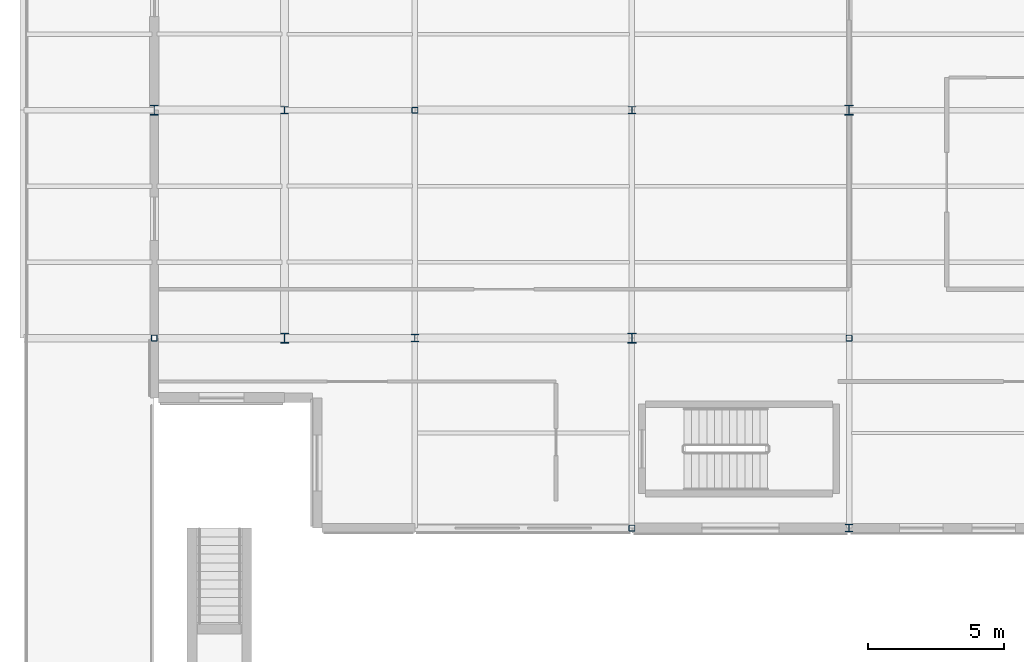
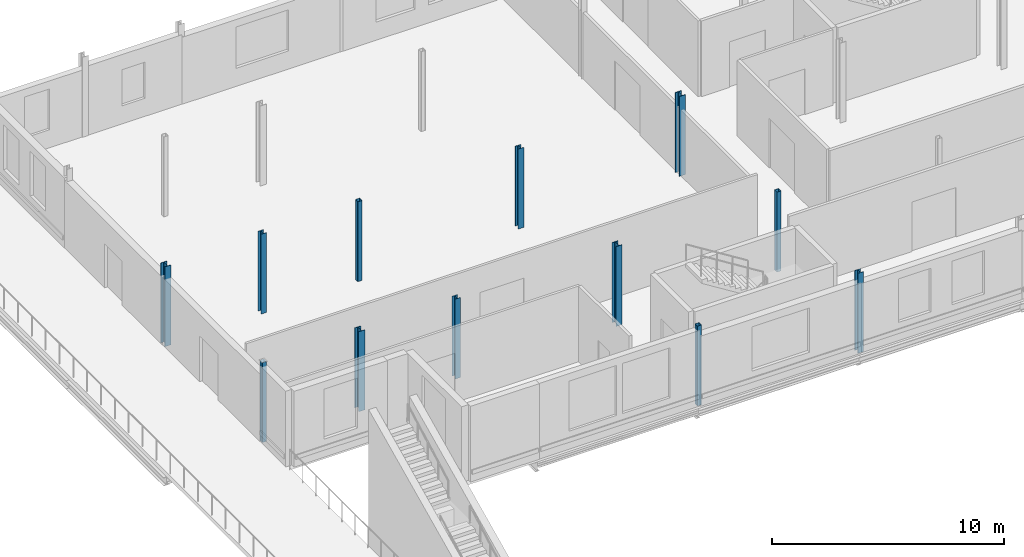
# One storey, part 1 of 101: 12 columns.
"""IFC4 building model written with IfcOpenShell, lengths in metres."""

from ifc_helpers import new_model, si_unit, direction, frame, origin, origin_2d, place, context, subcontext, project, spatial, hollow_rectangle, i_section, extrude, material, material_profile, profile_set, type_object, element, save


model = new_model("IFC4")

# Units and contexts
model_context = context("Model", 3, precision=1e-05, world=origin(), true_north=direction((0.0, 1.0)))
body_context = subcontext(model_context, "Body", "Model", "MODEL_VIEW")
ifc_project = project(units=[si_unit("LENGTHUNIT", "METRE"), si_unit("AREAUNIT", "SQUARE_METRE"), si_unit("VOLUMEUNIT", "CUBIC_METRE"), si_unit("PLANEANGLEUNIT", "RADIAN"), si_unit("MASSUNIT", "GRAM", prefix="KILO")], contexts=[model_context])

# Site, building, storey
site_placement = place(None, origin())
site = spatial("IfcSite", under=ifc_project, at=site_placement, CompositionType="ELEMENT")
building_placement = place(site_placement, origin())
building = spatial("IfcBuilding", under=site, at=building_placement, Name="Vekula Escarpment Museum", CompositionType="ELEMENT")
storey_placement = place(building_placement, frame((0.0, 0.0, 18.0)))
storey = spatial("IfcBuildingStorey", under=building, at=storey_placement, Name="L04", CompositionType="ELEMENT", Elevation=18.0)

# Columns
ifc_material_1 = material(Name="Steel S355", Category="steel")
ifc_material_profile_1 = material_profile(ifc_material_1, i_section(OverallWidth=0.280029296875, OverallDepth=0.27001953125, WebThickness=0.008056640625, FlangeThickness=0.012939453125, FilletRadius=0.02392578125, at=origin_2d()), Name="HEA 280")
ifc_profile_set_1 = profile_set([ifc_material_profile_1], Name="Steel S355")
column_type_1 = type_object("IfcColumnType", Name="COL-S-HEA280", PredefinedType="COLUMN", material=ifc_profile_set_1)
for number, where, z_axis, x_axis, name in (
    (1, (19.199951171875, 68.0, 0.0), (0.0, 0.0, 1.0), (1.0, 0.0, 0.0), "Column L04 (19.2,68.0)"),
    (2, (24.0, 59.60009765625, 0.0), (0.0, 0.0, 1.0), (1.0, 0.0, 0.0), "Column L04 (24.0,59.6)"),
    (3, (32.0, 68.0, 0.0), (0.0, 0.0, 1.0), (1.0, 0.0, 0.0), "Column L04 (32.0,68.0)"),
    (4, (40.0, 52.60009765625, 0.0), (0.0, 0.0, 1.0), (1.0, 0.0, 0.0), "Column L04 (40.0,52.6)"),
):
    element("IfcColumn", number, at=place(storey_placement, frame(where, z_axis=z_axis, x_axis=x_axis)), inside=storey, type_object=column_type_1, Name=name, PredefinedType="COLUMN", context=body_context, shape_type="SweptSolid", body=[
        extrude(i_section(OverallWidth=0.280029296875, OverallDepth=0.27001953125, WebThickness=0.008056640625, FlangeThickness=0.012939453125, FilletRadius=0.02392578125, at=origin_2d()), origin(), (0.0, 0.0, 1.0), 4.199951171875),
    ])
ifc_material_2 = material(Name="Steel S355", Category="steel")
ifc_material_profile_2 = material_profile(ifc_material_2, i_section(OverallWidth=0.300048828125, OverallDepth=0.360107421875, WebThickness=0.012451171875, FlangeThickness=0.0224609375, FilletRadius=0.027099609375, at=origin_2d()), Name="HEB 360")
ifc_profile_set_2 = profile_set([ifc_material_profile_2], Name="Steel S355")
column_type_2 = type_object("IfcColumnType", Name="COL-S-HEB360", PredefinedType="COLUMN", material=ifc_profile_set_2)
for number, where, z_axis, x_axis, name in (
    (5, (14.39990234375, 68.0, 0.0), (0.0, 0.0, 1.0), (1.0, 0.0, 0.0), "Column L04 (14.4,68.0)"),
    (6, (19.199951171875, 59.60009765625, 0.0), (0.0, 0.0, 1.0), (1.0, 0.0, 0.0), "Column L04 (19.2,59.6)"),
    (7, (32.0, 59.60009765625, 0.0), (0.0, 0.0, 1.0), (1.0, 0.0, 0.0), "Column L04 (32.0,59.6)"),
    (8, (40.0, 68.0, 0.0), (0.0, 0.0, 1.0), (1.0, 0.0, 0.0), "Column L04 (40.0,68.0)"),
):
    element("IfcColumn", number, at=place(storey_placement, frame(where, z_axis=z_axis, x_axis=x_axis)), inside=storey, type_object=column_type_2, Name=name, PredefinedType="COLUMN", context=body_context, shape_type="SweptSolid", body=[
        extrude(i_section(OverallWidth=0.300048828125, OverallDepth=0.360107421875, WebThickness=0.012451171875, FlangeThickness=0.0224609375, FilletRadius=0.027099609375, at=origin_2d()), origin(), (0.0, 0.0, 1.0), 4.199951171875),
    ])
ifc_material_3 = material(Name="Steel S355", Category="steel")
ifc_material_profile_3 = material_profile(ifc_material_3, hollow_rectangle(XDim=0.219970703125, YDim=0.219970703125, WallThickness=0.011962890625, InnerFilletRadius=0.011962890625, OuterFilletRadius=0.02392578125, at=origin_2d()), Name="SHS 220x220x12")
ifc_profile_set_3 = profile_set([ifc_material_profile_3], Name="Steel S355")
column_type_3 = type_object("IfcColumnType", Name="COL-S-SHS220", PredefinedType="COLUMN", material=ifc_profile_set_3)
for number, where, z_axis, x_axis, name in (
    (9, (14.39990234375, 59.60009765625, 0.0), (0.0, 0.0, 1.0), (1.0, 0.0, 0.0), "Column L04 (14.4,59.6)"),
    (10, (24.0, 68.0, 0.0), (0.0, 0.0, 1.0), (1.0, 0.0, 0.0), "Column L04 (24.0,68.0)"),
    (11, (32.0, 52.60009765625, 0.0), (0.0, 0.0, 1.0), (1.0, 0.0, 0.0), "Column L04 (32.0,52.6)"),
    (12, (40.0, 59.60009765625, 0.0), (0.0, 0.0, 1.0), (1.0, 0.0, 0.0), "Column L04 (40.0,59.6)"),
):
    element("IfcColumn", number, at=place(storey_placement, frame(where, z_axis=z_axis, x_axis=x_axis)), inside=storey, type_object=column_type_3, Name=name, PredefinedType="COLUMN", context=body_context, shape_type="SweptSolid", body=[
        extrude(hollow_rectangle(XDim=0.219970703125, YDim=0.219970703125, WallThickness=0.011962890625, InnerFilletRadius=0.011962890625, OuterFilletRadius=0.02392578125, at=origin_2d()), origin(), (0.0, 0.0, 1.0), 4.199951171875),
    ])

save(model, "model.ifc")
